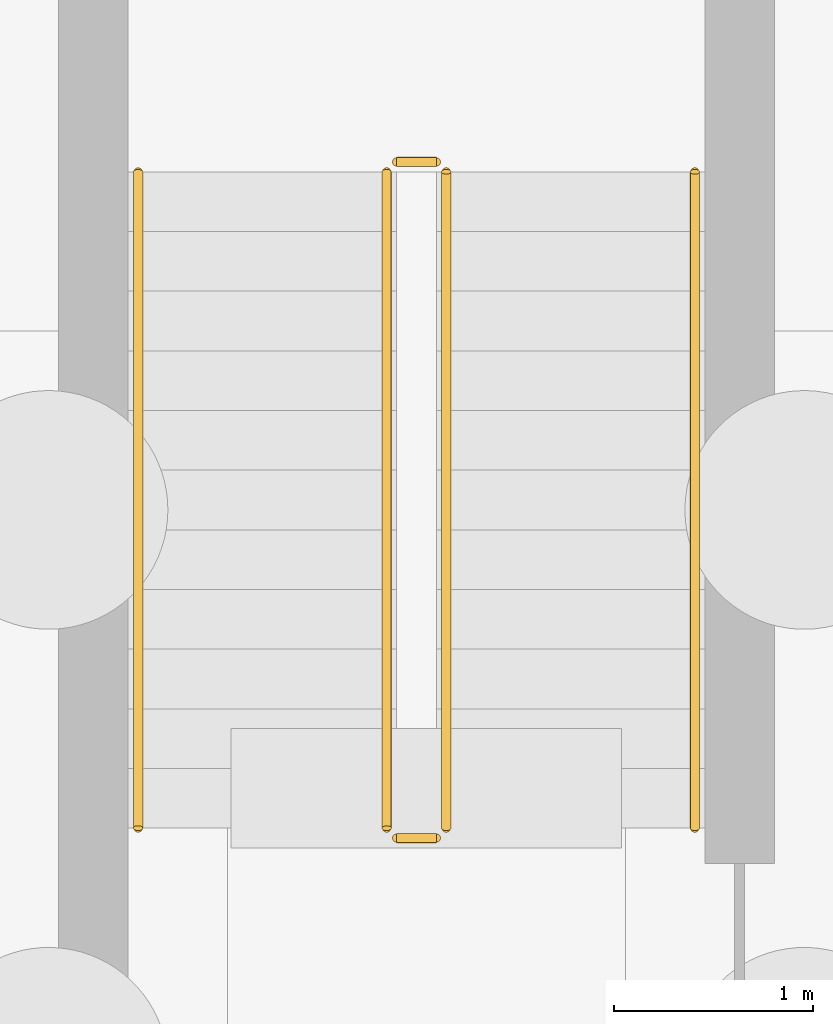
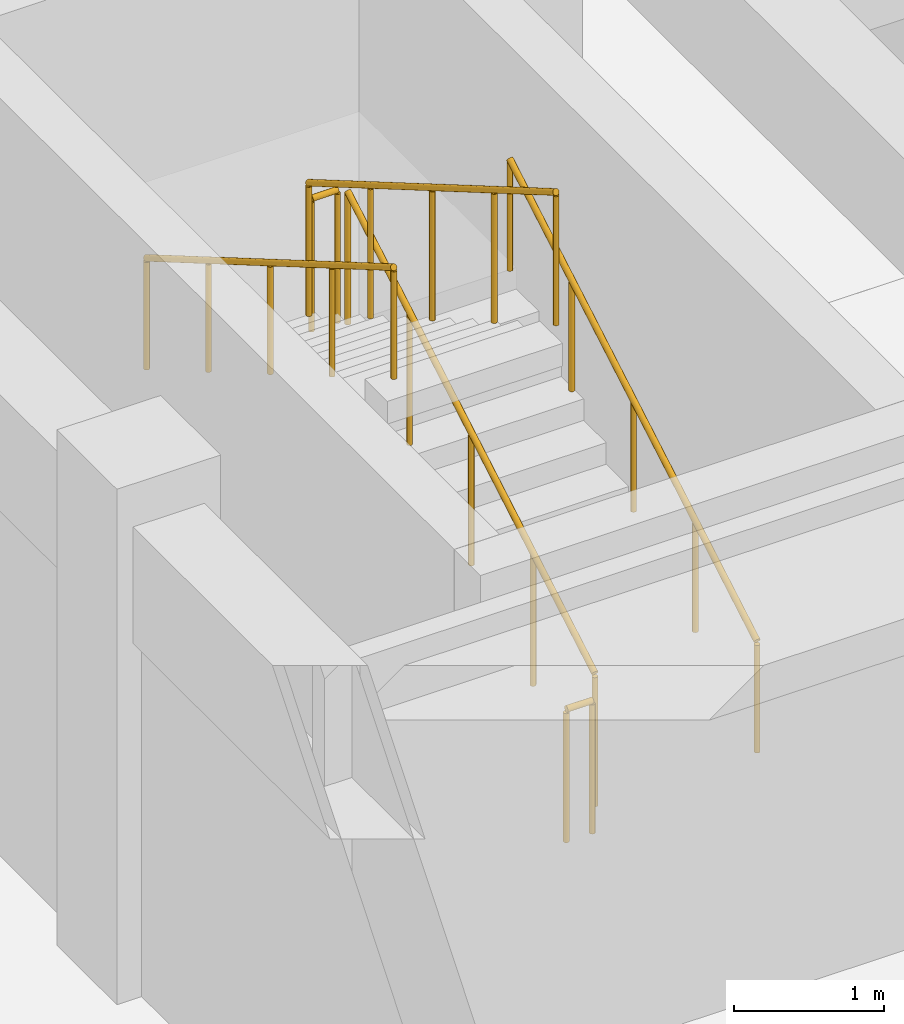
# One storey, part 57 of 58: 6 railings.
"""IFC4 building model written with IfcOpenShell, lengths in metres."""

from ifc_helpers import new_model, si_unit, direction, frame, origin, origin_2d, place, context, subcontext, project, spatial, circle, extrude, material, type_object, element, save


model = new_model("IFC4")

# Units and contexts
model_context = context("Model", 3, precision=1e-05, world=origin(), true_north=direction((0.0, 1.0)))
body_context = subcontext(model_context, "Body", "Model", "MODEL_VIEW")
ifc_project = project(units=[si_unit("LENGTHUNIT", "METRE"), si_unit("AREAUNIT", "SQUARE_METRE"), si_unit("VOLUMEUNIT", "CUBIC_METRE"), si_unit("PLANEANGLEUNIT", "RADIAN"), si_unit("MASSUNIT", "GRAM", prefix="KILO")], contexts=[model_context])

# Site, building, storey
site_placement = place(None, origin())
site = spatial("IfcSite", under=ifc_project, at=site_placement, CompositionType="ELEMENT")
building_placement = place(site_placement, origin())
building = spatial("IfcBuilding", under=site, at=building_placement, Name="Karori Crest Natural Sciences Institute", CompositionType="ELEMENT")
storey_placement = place(building_placement, frame((0.0, 0.0, -4.199951171875)))
storey = spatial("IfcBuildingStorey", under=building, at=storey_placement, Name="B1", CompositionType="ELEMENT", Elevation=-4.199951171875)

# Railings
ifc_material_1 = material(Name="Stainless steel 316 tubular handrail", Category="steel")
railing_type_1 = type_object("IfcRailingType", Name="RLT-HND", PredefinedType="HANDRAIL", material=ifc_material_1)
railing_1_placement = place(storey_placement, frame((12.050048828125, 141.0, 0.175048828125)))
element("IfcRailing", 1, at=railing_1_placement, inside=storey, type_object=railing_type_1, Name="Stair handrail RL-0274", PredefinedType="HANDRAIL", context=body_context, shape_type="SweptSolid", body=[
    extrude(circle(Radius=0.02392578125, at=origin_2d()), frame((0.0, 0.0, 0.90087890625), z_axis=(0.0, 0.863804395585, 0.503827317807), x_axis=(-1.0, 0.0, 0.0)), (0.0, 0.0, 1.0), 3.8203125),
    extrude(circle(Radius=0.02099609375, at=origin_2d()), origin(), (0.0, 0.0, 1.0), 0.876953125),
    extrude(circle(Radius=0.02099609375, at=origin_2d()), frame((0.0, 0.824951171875, 0.481201171875)), (0.0, 0.0, 1.0), 0.876953125),
    extrude(circle(Radius=0.02099609375, at=origin_2d()), frame((0.0, 1.64990234375, 0.96240234375)), (0.0, 0.0, 1.0), 0.876953125),
    extrude(circle(Radius=0.02099609375, at=origin_2d()), frame((0.0, 2.47509765625, 1.443603515625)), (0.0, 0.0, 1.0), 0.876953125),
    extrude(circle(Radius=0.02099609375, at=origin_2d()), frame((0.0, 3.300048828125, 1.9248046875)), (0.0, 0.0, 1.0), 0.876953125),
])
railing_2_placement = place(storey_placement, frame((9.25, 144.300048828125, 2.27490234375)))
element("IfcRailing", 2, at=railing_2_placement, inside=storey, type_object=railing_type_1, Name="Stair handrail RL-0275", PredefinedType="HANDRAIL", context=body_context, shape_type="SweptSolid", body=[
    extrude(circle(Radius=0.02392578125, at=origin_2d()), frame((0.0, 0.0, 0.90087890625), z_axis=(0.0, -0.863776583165, 0.503874998761), x_axis=(1.0, 0.0, 0.0)), (0.0, 0.0, 1.0), 3.820556640625),
    extrude(circle(Radius=0.02099609375, at=origin_2d()), origin(), (0.0, 0.0, 1.0), 0.876953125),
    extrude(circle(Radius=0.02099609375, at=origin_2d()), frame((0.0, -0.824951171875, 0.481201171875)), (0.0, 0.0, 1.0), 0.876953125),
    extrude(circle(Radius=0.02099609375, at=origin_2d()), frame((0.0, -1.64990234375, 0.96240234375)), (0.0, 0.0, 1.0), 0.876953125),
    extrude(circle(Radius=0.02099609375, at=origin_2d()), frame((0.0, -2.47509765625, 1.44384765625)), (0.0, 0.0, 1.0), 0.876953125),
    extrude(circle(Radius=0.02099609375, at=origin_2d()), frame((0.0, -3.300048828125, 1.925048828125)), (0.0, 0.0, 1.0), 0.876953125),
])
ifc_material_2 = material(Name="Stainless steel 316 stair guard", Category="steel")
railing_type_2 = type_object("IfcRailingType", Name="RLT-STG", PredefinedType="GUARDRAIL", material=ifc_material_2)
railing_3_placement = place(storey_placement, frame((10.800048828125, 141.0, 0.175048828125)))
element("IfcRailing", 3, at=railing_3_placement, inside=storey, type_object=railing_type_2, Name="Stair guard RL-0270", PredefinedType="GUARDRAIL", context=body_context, shape_type="SweptSolid", body=[
    extrude(circle(Radius=0.02392578125, at=origin_2d()), frame((0.0, 0.0, 1.076171875), z_axis=(0.0, 0.863804395585, 0.503827317807), x_axis=(-1.0, 0.0, 0.0)), (0.0, 0.0, 1.0), 3.8203125),
    extrude(circle(Radius=0.02099609375, at=origin_2d()), origin(), (0.0, 0.0, 1.0), 1.052001953125),
    extrude(circle(Radius=0.02099609375, at=origin_2d()), frame((0.0, 0.824951171875, 0.481201171875)), (0.0, 0.0, 1.0), 1.052001953125),
    extrude(circle(Radius=0.02099609375, at=origin_2d()), frame((0.0, 1.64990234375, 0.96240234375)), (0.0, 0.0, 1.0), 1.052001953125),
    extrude(circle(Radius=0.02099609375, at=origin_2d()), frame((0.0, 2.47509765625, 1.443603515625)), (0.0, 0.0, 1.0), 1.052001953125),
    extrude(circle(Radius=0.02099609375, at=origin_2d()), frame((0.0, 3.300048828125, 1.9248046875)), (0.0, 0.0, 1.0), 1.052001953125),
])
railing_4_placement = place(storey_placement, frame((10.75, 144.35009765625, 2.099853515625)))
element("IfcRailing", 4, at=railing_4_placement, inside=storey, type_object=railing_type_2, Name="Stair guard RL-0271", PredefinedType="GUARDRAIL", context=body_context, shape_type="SweptSolid", body=[
    extrude(circle(Radius=0.02392578125, at=origin_2d()), frame((0.0, 0.0, 1.076171875), z_axis=(-1.0, 0.0, 0.0), x_axis=(0.0, -1.0, 0.0)), (0.0, 0.0, 1.0), 0.199951171875),
    extrude(circle(Radius=0.02099609375, at=origin_2d()), origin(), (0.0, 0.0, 1.0), 1.052001953125),
    extrude(circle(Radius=0.02099609375, at=origin_2d()), frame((-0.199951171875, 0.0, 0.0)), (0.0, 0.0, 1.0), 1.052001953125),
])
railing_5_placement = place(storey_placement, frame((10.5, 144.300048828125, 2.27490234375)))
element("IfcRailing", 5, at=railing_5_placement, inside=storey, type_object=railing_type_2, Name="Stair guard RL-0272", PredefinedType="GUARDRAIL", context=body_context, shape_type="SweptSolid", body=[
    extrude(circle(Radius=0.02392578125, at=origin_2d()), frame((0.0, 0.0, 1.076171875), z_axis=(0.0, -0.863776583165, 0.503874998761), x_axis=(1.0, 0.0, 0.0)), (0.0, 0.0, 1.0), 3.820556640625),
    extrude(circle(Radius=0.02099609375, at=origin_2d()), origin(), (0.0, 0.0, 1.0), 1.052001953125),
    extrude(circle(Radius=0.02099609375, at=origin_2d()), frame((0.0, -0.824951171875, 0.481201171875)), (0.0, 0.0, 1.0), 1.052001953125),
    extrude(circle(Radius=0.02099609375, at=origin_2d()), frame((0.0, -1.64990234375, 0.96240234375)), (0.0, 0.0, 1.0), 1.052001953125),
    extrude(circle(Radius=0.02099609375, at=origin_2d()), frame((0.0, -2.47509765625, 1.44384765625)), (0.0, 0.0, 1.0), 1.052001953125),
    extrude(circle(Radius=0.02099609375, at=origin_2d()), frame((0.0, -3.300048828125, 1.925048828125)), (0.0, 0.0, 1.0), 1.052001953125),
])
railing_6_placement = place(storey_placement, frame((10.75, 140.949951171875, 0.0)))
element("IfcRailing", 6, at=railing_6_placement, inside=storey, type_object=railing_type_2, Name="Stair guard RL-0273", PredefinedType="GUARDRAIL", context=body_context, shape_type="SweptSolid", body=[
    extrude(circle(Radius=0.02392578125, at=origin_2d()), frame((0.0, 0.0, 1.076171875), z_axis=(-1.0, 0.0, 0.0), x_axis=(0.0, -1.0, 0.0)), (0.0, 0.0, 1.0), 0.199951171875),
    extrude(circle(Radius=0.02099609375, at=origin_2d()), origin(), (0.0, 0.0, 1.0), 1.052001953125),
    extrude(circle(Radius=0.02099609375, at=origin_2d()), frame((-0.199951171875, 0.0, 0.0)), (0.0, 0.0, 1.0), 1.052001953125),
])

save(model, "model.ifc")
